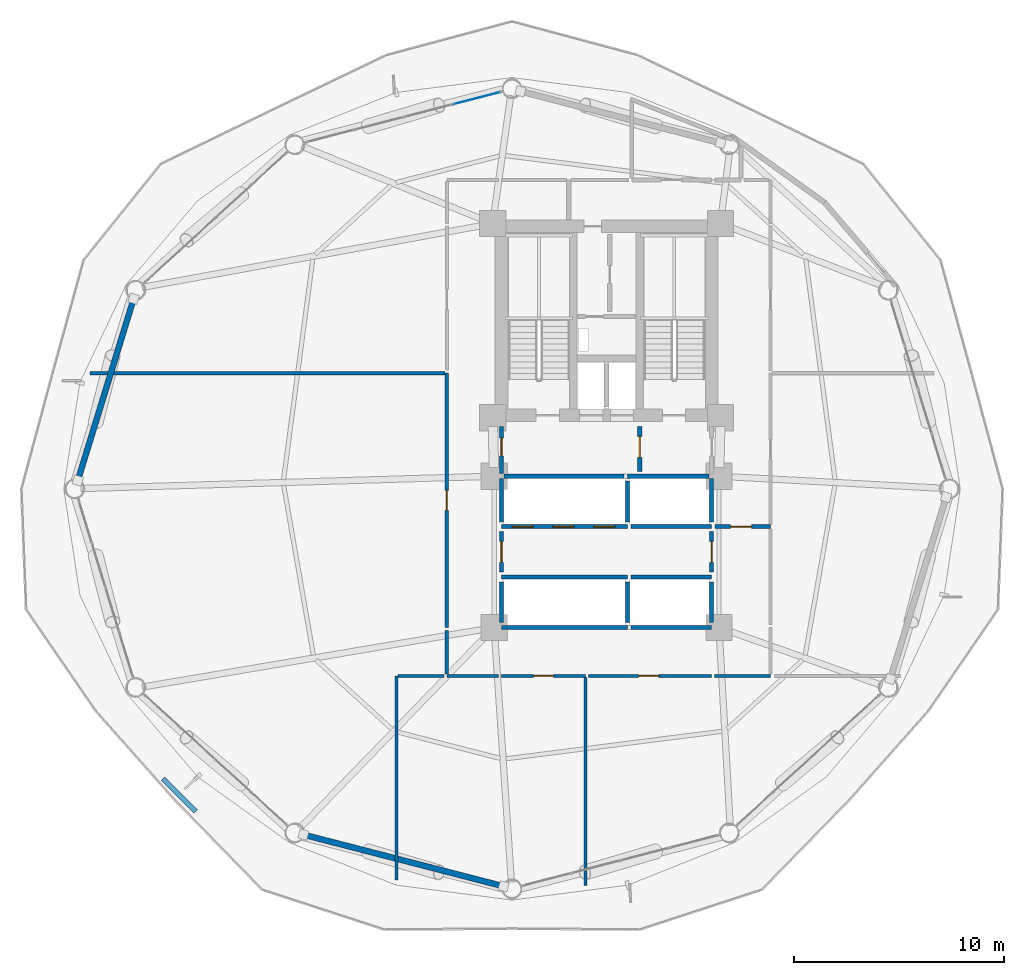
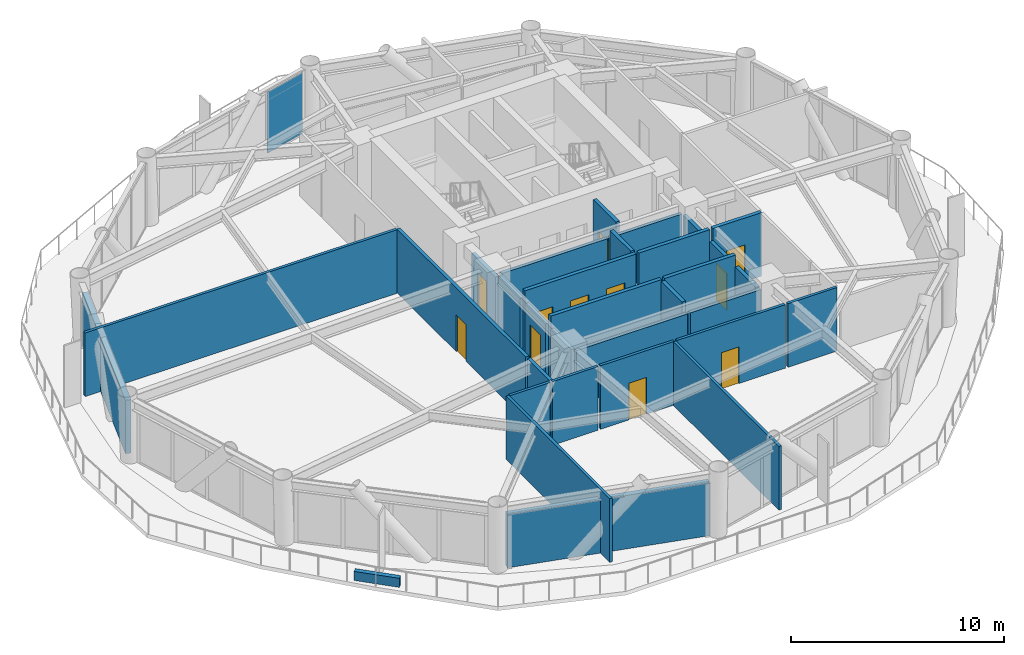
# One storey, part 19 of 24: 32 walls, 11 doors, 1 plate, 11 openings, 1 element without a shape of its own.
"""IFC4 building model written with IfcOpenShell, lengths in metres."""

from ifc_helpers import new_model, si_unit, direction, frame, frame_2d, origin, origin_2d, place, context, subcontext, project, spatial, rectangle, extrude, source, transform, mapped, material, layer, layer_set, type_object, type_shapes, element, fill, aggregate, save


model = new_model("IFC4")

# Units and contexts
model_context = context("Model", 3, precision=1e-05, world=origin(), true_north=direction((0.0, 1.0)))
body_context = subcontext(model_context, "Body", "Model", "MODEL_VIEW")
ifc_project = project(units=[si_unit("LENGTHUNIT", "METRE"), si_unit("AREAUNIT", "SQUARE_METRE"), si_unit("VOLUMEUNIT", "CUBIC_METRE"), si_unit("PLANEANGLEUNIT", "RADIAN"), si_unit("MASSUNIT", "GRAM", prefix="KILO")], contexts=[model_context])

# Site, building, storey
site_placement = place(None, origin())
site = spatial("IfcSite", under=ifc_project, at=site_placement, CompositionType="ELEMENT")
building_placement = place(site_placement, origin())
building = spatial("IfcBuilding", under=site, at=building_placement, Name="Varnakorn Sky Granary", CompositionType="ELEMENT")
storey_placement = place(building_placement, frame((0.0, 0.0, 43.199951171875)))
storey = spatial("IfcBuildingStorey", under=building, at=storey_placement, Name="L10", CompositionType="ELEMENT", Elevation=43.199951171875)

# Curtain wall, plate
ifc_material_1 = material(Name="Anodised Bronze Aluminium Alloy 6063-T6", Category="aluminium")
ifc_layer_1 = layer(ifc_material_1, 0.18994140625, Name="Anodised Bronze Aluminium Alloy 6063-T6")
ifc_layer_set_1 = layer_set([ifc_layer_1], Name="Anodised Bronze Aluminium Alloy 6063-T6")
curtain_wall_type = type_object("IfcCurtainWallType", Name="CW-FRM-1", PredefinedType="USERDEFINED", material=ifc_layer_set_1)
curtain_wall_placement = place(storey_placement, origin())
curtain_wall = element("IfcCurtainWall", 1, at=curtain_wall_placement, inside=storey, type_object=curtain_wall_type, Name="Unitised Curtain Wall CW3 CW-L10-B04", ObjectType="CURTAIN WALL", PredefinedType="USERDEFINED")
ifc_material_2 = material(Name="Low-E Tinted Laminated Glass", Category="glass")
ifc_layer_2 = layer(ifc_material_2, 0.028076171875, Name="Low-E Tinted Laminated Glass")
ifc_layer_set_2 = layer_set([ifc_layer_2], Name="Low-E Tinted Laminated Glass")
plate_type = type_object("IfcPlateType", Name="CW-FRM-1-PNL", PredefinedType="CURTAIN_PANEL")
shared_shape = source(origin(), body_context, "Body", "SweptSolid", [
    extrude(rectangle(XDim=2.302001953125, YDim=0.028076171875, at=origin_2d()), origin(), (0.0, 0.0, 1.0), 3.5),
])
type_shapes(plate_type, [shared_shape])
plate_placement = place(storey_placement, frame((-3.182861328125, 18.584716796875, 0.070068359375), z_axis=(0.0, 0.0, 1.0), x_axis=(0.968256081188, 0.249960319337, 0.0)))
plate = element("IfcPlate", 2, at=plate_placement, type_object=plate_type, material=ifc_layer_set_2, Name="CW3 vision glazing unit 4.1", PredefinedType="CURTAIN_PANEL", context=body_context, shape_type="MappedRepresentation", body=[
    mapped(shared_shape, transform((0.0, 0.0, 0.0), x_axis=(1.0, 0.0, 0.0), y_axis=(0.0, 1.0, 0.0), z_axis=(0.0, 0.0, 1.0), scale=1.0)),
])
aggregate(curtain_wall, [plate])

# Walls
ifc_material_3 = material(Name="Precast concrete C40/50", Category="concrete")
ifc_layer_3 = layer(ifc_material_3, 0.280029296875, Name="Precast concrete C40/50")
ifc_layer_set_3 = layer_set([ifc_layer_3], Name="Precast concrete C40/50")
wall_type_1 = type_object("IfcWallType", Name="WT-EW-CRN-280", PredefinedType="SOLIDWALL", material=ifc_layer_set_3)
wall_1_placement = place(storey_placement, frame((-22.160888671875, 0.393798828125, 0.0), z_axis=(0.0, 0.0, 1.0), x_axis=(0.293714423694, 0.955893214388, 0.0)))
element("IfcWall", 3, at=wall_1_placement, inside=storey, type_object=wall_type_1, Name="Agritech Insulated Precast Facade Wall L10-P06", PredefinedType="SOLIDWALL", context=body_context, shape_type="SweptSolid", body=[
    extrude(rectangle(XDim=9.0537109375, YDim=0.280029296875, at=frame_2d((4.52685546875, 0.0))), origin(), (0.0, 0.0, 1.0), 3.06005859375),
])
wall_2_placement = place(storey_placement, frame((-1.89892578125, -18.916015625, 0.0), z_axis=(0.0, 0.0, 1.0), x_axis=(-0.96825872694, 0.249950070424, 0.0)))
element("IfcWall", 4, at=wall_2_placement, inside=storey, type_object=wall_type_1, Name="Agritech Insulated Precast Facade Wall L10-P09", PredefinedType="SOLIDWALL", context=body_context, shape_type="SweptSolid", body=[
    extrude(rectangle(XDim=9.837890625, YDim=0.280029296875, at=frame_2d((4.9189453125, 0.0))), origin(), (0.0, 0.0, 1.0), 3.06005859375),
])

# Wall, opening, door
ifc_material_4 = material(Name="Autoclaved Aerated Concrete Blockwork", Category="masonry")
ifc_layer_4 = layer(ifc_material_4, 0.199951171875, Name="Autoclaved Aerated Concrete Blockwork")
ifc_layer_set_4 = layer_set([ifc_layer_4], Name="Autoclaved Aerated Concrete Blockwork")
wall_type_2 = type_object("IfcWallType", Name="WT-FIRE-200", PredefinedType="MOVABLE", material=ifc_layer_set_4)
wall_3_placement = place(storey_placement, frame((4.580078125, 0.830078125, 0.0), z_axis=(0.0, 0.0, 1.0), x_axis=(0.0, 1.0, 0.0)))
wall_3 = element("IfcWall", 5, at=wall_3_placement, inside=storey, type_object=wall_type_2, Name="Interior Partition Wall L10-017", PredefinedType="MOVABLE", context=body_context, shape_type="SweptSolid", body=[
    extrude(rectangle(XDim=2.139892578125, YDim=0.199951171875, at=frame_2d((1.06982421875, 0.0))), origin(), (0.0, 0.0, 1.0), 3.64013671875),
])
opening_1_placement = place(wall_3_placement, frame((0.659912109375, 0.0, 0.0)))
opening_1 = element("IfcOpeningElement", 6, at=opening_1_placement, cuts=wall_3, Name="Opening FD-60", PredefinedType="OPENING", context=body_context, shape_type="SweptSolid", body=[
    extrude(rectangle(XDim=1.0, YDim=2.10009765625, at=frame_2d((0.5, 1.050048828125))), frame((0.0, 0.10986328125, 0.0), z_axis=(0.0, -1.0, 0.0), x_axis=(1.0, 0.0, 0.0)), (0.0, 0.0, 1.0), 0.219970703125),
])
ifc_material_5 = material(Name="Acoustic Timber Fire Leaf", Category="wood")
door_type_1 = type_object("IfcDoorType", Name="DR-FD60-1000", OperationType="NOTDEFINED", PredefinedType="DOOR", material=ifc_material_5)
door_1_placement = place(opening_1_placement, origin())
door_1 = element("IfcDoor", 7, at=door_1_placement, inside=storey, type_object=door_type_1, Name="Interior Door L10-017-1", OperationType="SINGLE_SWING_LEFT", OverallHeight=2.10009765625, OverallWidth=1.0, PredefinedType="DOOR", context=body_context, shape_type="SweptSolid", body=[
    extrude(rectangle(XDim=1.0, YDim=2.10009765625, at=frame_2d((0.5, 1.050048828125))), frame((0.0, 0.02490234375, 0.0), z_axis=(0.0, -1.0, 0.0), x_axis=(1.0, 0.0, 0.0)), (0.0, 0.0, 1.0), 0.050048828125),
])
fill(opening_1, door_1)

wall_4_placement = place(storey_placement, frame((-2.0, 0.719970703125, 0.0), z_axis=(0.0, 0.0, 1.0), x_axis=(0.0, 1.0, 0.0)))
wall_4 = element("IfcWall", 8, at=wall_4_placement, inside=storey, type_object=wall_type_2, Name="Interior Partition Wall L10-018", PredefinedType="MOVABLE", context=body_context, shape_type="SweptSolid", body=[
    extrude(rectangle(XDim=2.25, YDim=0.199951171875, at=frame_2d((1.125, 0.0))), origin(), (0.0, 0.0, 1.0), 2.8720703125),
])
opening_2_placement = place(wall_4_placement, frame((0.844970703125, 0.0, 0.0)))
opening_2 = element("IfcOpeningElement", 9, at=opening_2_placement, cuts=wall_4, Name="Opening FD-60N", PredefinedType="OPENING", context=body_context, shape_type="SweptSolid", body=[
    extrude(rectangle(XDim=0.85009765625, YDim=2.10009765625, at=frame_2d((0.425048828125, 1.050048828125))), frame((0.0, 0.10986328125, 0.0), z_axis=(0.0, -1.0, 0.0), x_axis=(1.0, 0.0, 0.0)), (0.0, 0.0, 1.0), 0.219970703125),
])
door_type_2 = type_object("IfcDoorType", Name="DR-FD60-850", OperationType="NOTDEFINED", PredefinedType="DOOR", material=ifc_material_5)
door_2_placement = place(opening_2_placement, origin())
door_2 = element("IfcDoor", 10, at=door_2_placement, inside=storey, type_object=door_type_2, Name="Interior Door L10-018-1", OperationType="SINGLE_SWING_RIGHT", OverallHeight=2.10009765625, OverallWidth=0.85009765625, PredefinedType="DOOR", context=body_context, shape_type="SweptSolid", body=[
    extrude(rectangle(XDim=0.85009765625, YDim=2.10009765625, at=frame_2d((0.425048828125, 1.050048828125))), frame((0.0, 0.02490234375, 0.0), z_axis=(0.0, -1.0, 0.0), x_axis=(1.0, 0.0, 0.0)), (0.0, 0.0, 1.0), 0.050048828125),
])
fill(opening_2, door_2)

wall_5_placement = place(storey_placement, frame((-2.0, -3.969970703125, 0.0), z_axis=(0.0, 0.0, 1.0), x_axis=(0.0, 1.0, 0.0)))
wall_5 = element("IfcWall", 11, at=wall_5_placement, inside=storey, type_object=wall_type_2, Name="Interior Partition Wall L10-020", PredefinedType="MOVABLE", context=body_context, shape_type="SweptSolid", body=[
    extrude(rectangle(XDim=1.93994140625, YDim=0.199951171875, at=frame_2d((0.969970703125, 0.0))), origin(), (0.0, 0.0, 1.0), 3.02197265625),
])
opening_3_placement = place(wall_5_placement, frame((0.469970703125, 0.0, 0.0)))
opening_3 = element("IfcOpeningElement", 12, at=opening_3_placement, cuts=wall_5, Name="Opening FD-60", PredefinedType="OPENING", context=body_context, shape_type="SweptSolid", body=[
    extrude(rectangle(XDim=1.0, YDim=2.10009765625, at=frame_2d((0.5, 1.050048828125))), frame((0.0, 0.10986328125, 0.0), z_axis=(0.0, -1.0, 0.0), x_axis=(1.0, 0.0, 0.0)), (0.0, 0.0, 1.0), 0.219970703125),
])
door_3_placement = place(opening_3_placement, origin())
door_3 = element("IfcDoor", 13, at=door_3_placement, inside=storey, type_object=door_type_1, Name="Interior Door L10-020-1", OperationType="SINGLE_SWING_RIGHT", OverallHeight=2.10009765625, OverallWidth=1.0, PredefinedType="DOOR", context=body_context, shape_type="SweptSolid", body=[
    extrude(rectangle(XDim=1.0, YDim=2.10009765625, at=frame_2d((0.5, 1.050048828125))), frame((0.0, 0.02490234375, 0.0), z_axis=(0.0, -1.0, 0.0), x_axis=(1.0, 0.0, 0.0)), (0.0, 0.0, 1.0), 0.050048828125),
])
fill(opening_3, door_3)

wall_6_placement = place(storey_placement, frame((8.0, -3.969970703125, 0.0), z_axis=(0.0, 0.0, 1.0), x_axis=(0.0, 1.0, 0.0)))
wall_6 = element("IfcWall", 14, at=wall_6_placement, inside=storey, type_object=wall_type_2, Name="Interior Partition Wall L10-021", PredefinedType="MOVABLE", context=body_context, shape_type="SweptSolid", body=[
    extrude(rectangle(XDim=1.93994140625, YDim=0.199951171875, at=frame_2d((0.969970703125, 0.0))), origin(), (0.0, 0.0, 1.0), 3.072021484375),
])
opening_4_placement = place(wall_6_placement, frame((0.469970703125, 0.0, 0.0)))
opening_4 = element("IfcOpeningElement", 15, at=opening_4_placement, cuts=wall_6, Name="Opening FD-60", PredefinedType="OPENING", context=body_context, shape_type="SweptSolid", body=[
    extrude(rectangle(XDim=1.0, YDim=2.10009765625, at=frame_2d((0.5, 1.050048828125))), frame((0.0, 0.10986328125, 0.0), z_axis=(0.0, -1.0, 0.0), x_axis=(1.0, 0.0, 0.0)), (0.0, 0.0, 1.0), 0.219970703125),
])
door_4_placement = place(opening_4_placement, origin())
door_4 = element("IfcDoor", 16, at=door_4_placement, inside=storey, type_object=door_type_1, Name="Interior Door L10-021-1", OperationType="SINGLE_SWING_LEFT", OverallHeight=2.10009765625, OverallWidth=1.0, PredefinedType="DOOR", context=body_context, shape_type="SweptSolid", body=[
    extrude(rectangle(XDim=1.0, YDim=2.10009765625, at=frame_2d((0.5, 1.050048828125))), frame((0.0, 0.02490234375, 0.0), z_axis=(0.0, -1.0, 0.0), x_axis=(1.0, 0.0, 0.0)), (0.0, 0.0, 1.0), 0.050048828125),
])
fill(opening_4, door_4)

wall_7_placement = place(storey_placement, frame((8.159912109375, -1.800048828125, 0.0), z_axis=(0.0, 0.0, 1.0), x_axis=(1.0, 0.0, 0.0)))
wall_7 = element("IfcWall", 17, at=wall_7_placement, inside=storey, type_object=wall_type_2, Name="Interior Partition Wall L10-022", PredefinedType="MOVABLE", context=body_context, shape_type="SweptSolid", body=[
    extrude(rectangle(XDim=2.64013671875, YDim=0.199951171875, at=frame_2d((1.320068359375, 0.0))), origin(), (0.0, 0.0, 1.0), 3.64013671875),
])
opening_5_placement = place(wall_7_placement, frame((0.739990234375, 0.0, 0.0)))
opening_5 = element("IfcOpeningElement", 18, at=opening_5_placement, cuts=wall_7, Name="Opening FD-60", PredefinedType="OPENING", context=body_context, shape_type="SweptSolid", body=[
    extrude(rectangle(XDim=1.0, YDim=2.10009765625, at=frame_2d((0.5, 1.050048828125))), frame((0.0, 0.10986328125, 0.0), z_axis=(0.0, -1.0, 0.0), x_axis=(1.0, 0.0, 0.0)), (0.0, 0.0, 1.0), 0.219970703125),
])
door_5_placement = place(opening_5_placement, origin())
door_5 = element("IfcDoor", 19, at=door_5_placement, inside=storey, type_object=door_type_1, Name="Interior Door L10-022-1", OperationType="SINGLE_SWING_RIGHT", OverallHeight=2.10009765625, OverallWidth=1.0, PredefinedType="DOOR", context=body_context, shape_type="SweptSolid", body=[
    extrude(rectangle(XDim=1.0, YDim=2.10009765625, at=frame_2d((0.5, 1.050048828125))), frame((0.0, 0.02490234375, 0.0), z_axis=(0.0, -1.0, 0.0), x_axis=(1.0, 0.0, 0.0)), (0.0, 0.0, 1.0), 0.050048828125),
])
fill(opening_5, door_5)

# Wall
wall_8_placement = place(storey_placement, frame((-1.8798828125, 0.60009765625, 0.0), z_axis=(0.0, 0.0, 1.0), x_axis=(1.0, 0.0, 0.0)))
element("IfcWall", 20, at=wall_8_placement, inside=storey, type_object=wall_type_2, Name="Interior Partition Wall L10-030", PredefinedType="MOVABLE", context=body_context, shape_type="SweptSolid", body=[
    extrude(rectangle(XDim=5.719970703125, YDim=0.199951171875, at=frame_2d((2.85986328125, 0.0))), origin(), (0.0, 0.0, 1.0), 3.1220703125),
])

# Wall, opening, door
ifc_material_6 = material(Name="Gypsum Plasterboard on Steel Stud", Category="steel")
ifc_layer_5 = layer(ifc_material_6, 0.14990234375, Name="Gypsum Plasterboard on Steel Stud")
ifc_layer_set_5 = layer_set([ifc_layer_5], Name="Gypsum Plasterboard on Steel Stud")
wall_type_3 = type_object("IfcWallType", Name="WT-PART-150", PredefinedType="PARTITIONING", material=ifc_layer_set_5)
wall_9_placement = place(storey_placement, frame((-2.0, -8.89990234375, 0.0), z_axis=(0.0, 0.0, 1.0), x_axis=(1.0, 0.0, 0.0)))
wall_9 = element("IfcWall", 21, at=wall_9_placement, inside=storey, type_object=wall_type_3, Name="Interior Partition Wall L10-024", PredefinedType="PARTITIONING", context=body_context, shape_type="SweptSolid", body=[
    extrude(rectangle(XDim=4.0, YDim=0.14990234375, at=frame_2d((2.0, 0.0))), origin(), (0.0, 0.0, 1.0), 3.64013671875),
])
opening_6_placement = place(wall_9_placement, frame((1.52490234375, 0.0, 0.0)))
opening_6 = element("IfcOpeningElement", 22, at=opening_6_placement, cuts=wall_9, Name="Opening ID-95", PredefinedType="OPENING", context=body_context, shape_type="SweptSolid", body=[
    extrude(rectangle(XDim=0.949951171875, YDim=2.10009765625, at=frame_2d((0.47509765625, 1.050048828125))), frame((0.0, 0.0849609375, 0.0), z_axis=(0.0, -1.0, 0.0), x_axis=(1.0, 0.0, 0.0)), (0.0, 0.0, 1.0), 0.169921875),
])
ifc_material_7 = material(Name="Solid-Core Teak Veneer Leaf", Category="timber")
door_type_3 = type_object("IfcDoorType", Name="DR-INT-950", OperationType="NOTDEFINED", PredefinedType="DOOR", material=ifc_material_7)
door_6_placement = place(opening_6_placement, origin())
door_6 = element("IfcDoor", 23, at=door_6_placement, inside=storey, type_object=door_type_3, Name="Interior Door L10-024-1", OperationType="SINGLE_SWING_RIGHT", OverallHeight=2.10009765625, OverallWidth=0.949951171875, PredefinedType="DOOR", context=body_context, shape_type="SweptSolid", body=[
    extrude(rectangle(XDim=0.949951171875, YDim=2.10009765625, at=frame_2d((0.47509765625, 1.050048828125))), frame((0.0, 0.02490234375, 0.0), z_axis=(0.0, -1.0, 0.0), x_axis=(1.0, 0.0, 0.0)), (0.0, 0.0, 1.0), 0.050048828125),
])
fill(opening_6, door_6)

wall_10_placement = place(storey_placement, frame((2.135009765625, -8.89990234375, 0.0), z_axis=(0.0, 0.0, 1.0), x_axis=(1.0, 0.0, 0.0)))
wall_10 = element("IfcWall", 24, at=wall_10_placement, inside=storey, type_object=wall_type_3, Name="Interior Partition Wall L10-025", PredefinedType="PARTITIONING", context=body_context, shape_type="SweptSolid", body=[
    extrude(rectangle(XDim=5.864990234375, YDim=0.14990234375, at=frame_2d((2.9326171875, 0.0))), origin(), (0.0, 0.0, 1.0), 3.64013671875),
])
opening_7_placement = place(wall_10_placement, frame((2.389892578125, 0.0, 0.0)))
opening_7 = element("IfcOpeningElement", 25, at=opening_7_placement, cuts=wall_10, Name="Opening ID-95", PredefinedType="OPENING", context=body_context, shape_type="SweptSolid", body=[
    extrude(rectangle(XDim=0.949951171875, YDim=2.10009765625, at=frame_2d((0.47509765625, 1.050048828125))), frame((0.0, 0.0849609375, 0.0), z_axis=(0.0, -1.0, 0.0), x_axis=(1.0, 0.0, 0.0)), (0.0, 0.0, 1.0), 0.169921875),
])
door_7_placement = place(opening_7_placement, origin())
door_7 = element("IfcDoor", 26, at=door_7_placement, inside=storey, type_object=door_type_3, Name="Interior Door L10-025-1", OperationType="SINGLE_SWING_LEFT", OverallHeight=2.10009765625, OverallWidth=0.949951171875, PredefinedType="DOOR", context=body_context, shape_type="SweptSolid", body=[
    extrude(rectangle(XDim=0.949951171875, YDim=2.10009765625, at=frame_2d((0.47509765625, 1.050048828125))), frame((0.0, 0.02490234375, 0.0), z_axis=(0.0, -1.0, 0.0), x_axis=(1.0, 0.0, 0.0)), (0.0, 0.0, 1.0), 0.050048828125),
])
fill(opening_7, door_7)

# Walls
wall_11_placement = place(storey_placement, frame((-4.60009765625, -8.89990234375, 0.0), z_axis=(0.0, 0.0, 1.0), x_axis=(1.0, 0.0, 0.0)))
element("IfcWall", 27, at=wall_11_placement, inside=storey, type_object=wall_type_3, Name="Interior Partition Wall L10-033", PredefinedType="PARTITIONING", context=body_context, shape_type="SweptSolid", body=[
    extrude(rectangle(XDim=2.465087890625, YDim=0.14990234375, at=frame_2d((1.232421875, 0.0))), origin(), (0.0, 0.0, 1.0), 3.64013671875),
])
wall_12_placement = place(storey_placement, frame((2.0, -8.985107421875, 0.0), z_axis=(0.0, 0.0, 1.0), x_axis=(0.0, -1.0, 0.0)))
element("IfcWall", 28, at=wall_12_placement, inside=storey, type_object=wall_type_3, Name="Interior Partition Wall L10-034", PredefinedType="PARTITIONING", context=body_context, shape_type="SweptSolid", body=[
    extrude(rectangle(XDim=9.892822265625, YDim=0.14990234375, at=frame_2d((4.9462890625, 0.0))), origin(), (0.0, 0.0, 1.0), 3.64013671875),
])
wall_13_placement = place(storey_placement, frame((-7.0, -18.60595703125, 0.0), z_axis=(0.0, 0.0, 1.0), x_axis=(0.0, 1.0, 0.0)))
element("IfcWall", 29, at=wall_13_placement, inside=storey, type_object=wall_type_3, Name="Interior Partition Wall L10-035", PredefinedType="PARTITIONING", context=body_context, shape_type="SweptSolid", body=[
    extrude(rectangle(XDim=9.7060546875, YDim=0.14990234375, at=frame_2d((4.85302734375, 0.0))), origin(), (0.0, 0.0, 1.0), 3.64013671875),
])
wall_14_placement = place(storey_placement, frame((-6.9150390625, -8.89990234375, 0.0), z_axis=(0.0, 0.0, 1.0), x_axis=(1.0, 0.0, 0.0)))
element("IfcWall", 30, at=wall_14_placement, inside=storey, type_object=wall_type_3, Name="Interior Partition Wall L10-036", PredefinedType="PARTITIONING", context=body_context, shape_type="SweptSolid", body=[
    extrude(rectangle(XDim=2.179931640625, YDim=0.14990234375, at=frame_2d((1.08984375, 0.0))), origin(), (0.0, 0.0, 1.0), 3.64013671875),
])
wall_15_placement = place(storey_placement, frame((8.135009765625, -8.89990234375, 0.0), z_axis=(0.0, 0.0, 1.0), x_axis=(1.0, 0.0, 0.0)))
element("IfcWall", 31, at=wall_15_placement, inside=storey, type_object=wall_type_3, Name="Interior Partition Wall L10-037", PredefinedType="PARTITIONING", context=body_context, shape_type="SweptSolid", body=[
    extrude(rectangle(XDim=2.6650390625, YDim=0.14990234375, at=frame_2d((1.33251953125, 0.0))), origin(), (0.0, 0.0, 1.0), 3.64013671875),
])
wall_16_placement = place(storey_placement, frame((-21.589111328125, 5.5, 0.0), z_axis=(0.0, 0.0, 1.0), x_axis=(1.0, 0.0, 0.0)))
element("IfcWall", 32, at=wall_16_placement, inside=storey, type_object=wall_type_3, Name="Interior Partition Wall L10-040", PredefinedType="PARTITIONING", context=body_context, shape_type="SweptSolid", body=[
    extrude(rectangle(XDim=16.88916015625, YDim=0.14990234375, at=frame_2d((8.444580078125, 0.0))), origin(), (0.0, 0.0, 1.0), 3.64013671875),
])

# Wall, opening, door
ifc_material_8 = material(Name="Moisture-Resistant Gypsum on Stud", Category="gypsum")
ifc_layer_6 = layer(ifc_material_8, 0.179931640625, Name="Moisture-Resistant Gypsum on Stud")
ifc_layer_set_6 = layer_set([ifc_layer_6], Name="Moisture-Resistant Gypsum on Stud")
wall_type_4 = type_object("IfcWallType", Name="WT-PLUMB-180", PredefinedType="PLUMBINGWALL", material=ifc_layer_set_6)
wall_17_placement = place(storey_placement, frame((-4.60009765625, 5.5, 0.0), z_axis=(0.0, 0.0, 1.0), x_axis=(0.0, -1.0, 0.0)))
wall_17 = element("IfcWall", 33, at=wall_17_placement, inside=storey, type_object=wall_type_4, Name="Interior Partition Wall L10-026", PredefinedType="PLUMBINGWALL", context=body_context, shape_type="SweptSolid", body=[
    extrude(rectangle(XDim=12.10009765625, YDim=0.179931640625, at=frame_2d((6.050048828125, 0.0))), origin(), (0.0, 0.0, 1.0), 3.64013671875),
])
opening_8_placement = place(wall_17_placement, frame((5.574951171875, 0.0, 0.0)))
opening_8 = element("IfcOpeningElement", 34, at=opening_8_placement, cuts=wall_17, Name="Opening ID-95", PredefinedType="OPENING", context=body_context, shape_type="SweptSolid", body=[
    extrude(rectangle(XDim=0.949951171875, YDim=2.10009765625, at=frame_2d((0.47509765625, 1.050048828125))), frame((0.0, 0.10009765625, 0.0), z_axis=(0.0, -1.0, 0.0), x_axis=(1.0, 0.0, 0.0)), (0.0, 0.0, 1.0), 0.199951171875),
])
door_8_placement = place(opening_8_placement, origin())
door_8 = element("IfcDoor", 35, at=door_8_placement, inside=storey, type_object=door_type_3, Name="Interior Door L10-026-1", OperationType="SINGLE_SWING_RIGHT", OverallHeight=2.10009765625, OverallWidth=0.949951171875, PredefinedType="DOOR", context=body_context, shape_type="SweptSolid", body=[
    extrude(rectangle(XDim=0.949951171875, YDim=2.10009765625, at=frame_2d((0.47509765625, 1.050048828125))), frame((0.0, 0.02490234375, 0.0), z_axis=(0.0, -1.0, 0.0), x_axis=(1.0, 0.0, 0.0)), (0.0, 0.0, 1.0), 0.050048828125),
])
fill(opening_8, door_8)

# Walls
wall_18_placement = place(storey_placement, frame((-4.60009765625, -6.75, 0.0), z_axis=(0.0, 0.0, 1.0), x_axis=(0.0, -1.0, 0.0)))
element("IfcWall", 36, at=wall_18_placement, inside=storey, type_object=wall_type_4, Name="Interior Partition Wall L10-039", PredefinedType="PLUMBINGWALL", context=body_context, shape_type="SweptSolid", body=[
    extrude(rectangle(XDim=2.06494140625, YDim=0.179931640625, at=frame_2d((1.032470703125, 0.0))), origin(), (0.0, 0.0, 1.0), 3.64013671875),
])
ifc_layer_7 = layer(ifc_material_4, 0.199951171875, Name="Autoclaved Aerated Concrete Blockwork")
ifc_layer_set_7 = layer_set([ifc_layer_7], Name="Autoclaved Aerated Concrete Blockwork")
wall_type_5 = type_object("IfcWallType", Name="WT-SHAFT-200", PredefinedType="SOLIDWALL", material=ifc_layer_set_7)
wall_19_placement = place(storey_placement, frame((4.0, 0.60009765625, 0.0), z_axis=(0.0, 0.0, 1.0), x_axis=(1.0, 0.0, 0.0)))
element("IfcWall", 37, at=wall_19_placement, inside=storey, type_object=wall_type_5, Name="Interior Partition Wall L10-002", PredefinedType="SOLIDWALL", context=body_context, shape_type="SweptSolid", body=[
    extrude(rectangle(XDim=3.8798828125, YDim=0.199951171875, at=frame_2d((1.93994140625, 0.0))), origin(), (0.0, 0.0, 1.0), 3.1220703125),
])

# Wall, openings, doors
wall_20_placement = place(storey_placement, frame((-2.0, -1.800048828125, 0.0), z_axis=(0.0, 0.0, 1.0), x_axis=(1.0, 0.0, 0.0)))
wall_20 = element("IfcWall", 38, at=wall_20_placement, inside=storey, type_object=wall_type_5, Name="Interior Partition Wall L10-003", PredefinedType="SOLIDWALL", context=body_context, shape_type="SweptSolid", body=[
    extrude(rectangle(XDim=6.0, YDim=0.199951171875, at=frame_2d((3.0, 0.0))), origin(), (0.0, 0.0, 1.0), 3.64013671875),
])
opening_9_placement = place(wall_20_placement, frame((0.5, 0.0, 0.0)))
opening_9 = element("IfcOpeningElement", 39, at=opening_9_placement, cuts=wall_20, Name="Opening LD-03", PredefinedType="OPENING", context=body_context, shape_type="SweptSolid", body=[
    extrude(rectangle(XDim=1.0, YDim=2.199951171875, at=frame_2d((0.5, 1.10009765625))), frame((0.0, 0.10986328125, 0.0), z_axis=(0.0, -1.0, 0.0), x_axis=(1.0, 0.0, 0.0)), (0.0, 0.0, 1.0), 0.219970703125),
])
opening_10_placement = place(wall_20_placement, frame((2.449951171875, 0.0, 0.0)))
opening_10 = element("IfcOpeningElement", 40, at=opening_10_placement, cuts=wall_20, Name="Opening LD-03", PredefinedType="OPENING", context=body_context, shape_type="SweptSolid", body=[
    extrude(rectangle(XDim=1.0, YDim=2.199951171875, at=frame_2d((0.5, 1.10009765625))), frame((0.0, 0.10986328125, 0.0), z_axis=(0.0, -1.0, 0.0), x_axis=(1.0, 0.0, 0.0)), (0.0, 0.0, 1.0), 0.219970703125),
])
opening_11_placement = place(wall_20_placement, frame((4.39990234375, 0.0, 0.0)))
opening_11 = element("IfcOpeningElement", 41, at=opening_11_placement, cuts=wall_20, Name="Opening LD-03", PredefinedType="OPENING", context=body_context, shape_type="SweptSolid", body=[
    extrude(rectangle(XDim=1.0, YDim=2.199951171875, at=frame_2d((0.5, 1.10009765625))), frame((0.0, 0.10986328125, 0.0), z_axis=(0.0, -1.0, 0.0), x_axis=(1.0, 0.0, 0.0)), (0.0, 0.0, 1.0), 0.219970703125),
])
ifc_material_9 = material(Name="Brushed Bronze Stainless Steel", Category="steel")
door_type_4 = type_object("IfcDoorType", Name="DR-LD-1000", OperationType="DOUBLE_DOOR_SLIDING", PredefinedType="DOOR", material=ifc_material_9)
door_9_placement = place(opening_9_placement, origin())
door_9 = element("IfcDoor", 42, at=door_9_placement, inside=storey, type_object=door_type_4, Name="Passenger Lift PL-L1 Sliding Landing Door L10", OperationType="DOUBLE_DOOR_SLIDING", OverallHeight=2.199951171875, OverallWidth=1.0, PredefinedType="DOOR", context=body_context, shape_type="SweptSolid", body=[
    extrude(rectangle(XDim=1.0, YDim=2.199951171875, at=frame_2d((0.5, 1.10009765625))), frame((0.0, 0.02490234375, 0.0), z_axis=(0.0, -1.0, 0.0), x_axis=(1.0, 0.0, 0.0)), (0.0, 0.0, 1.0), 0.050048828125),
])
fill(opening_9, door_9)
door_10_placement = place(opening_10_placement, origin())
door_10 = element("IfcDoor", 43, at=door_10_placement, inside=storey, type_object=door_type_4, Name="Passenger Lift PL-L2 Sliding Landing Door L10", OperationType="DOUBLE_DOOR_SLIDING", OverallHeight=2.199951171875, OverallWidth=1.0, PredefinedType="DOOR", context=body_context, shape_type="SweptSolid", body=[
    extrude(rectangle(XDim=1.0, YDim=2.199951171875, at=frame_2d((0.5, 1.10009765625))), frame((0.0, 0.02490234375, 0.0), z_axis=(0.0, -1.0, 0.0), x_axis=(1.0, 0.0, 0.0)), (0.0, 0.0, 1.0), 0.050048828125),
])
fill(opening_10, door_10)
door_11_placement = place(opening_11_placement, origin())
door_11 = element("IfcDoor", 44, at=door_11_placement, inside=storey, type_object=door_type_4, Name="Passenger Lift PL-L3 Sliding Landing Door L10", OperationType="DOUBLE_DOOR_SLIDING", OverallHeight=2.199951171875, OverallWidth=1.0, PredefinedType="DOOR", context=body_context, shape_type="SweptSolid", body=[
    extrude(rectangle(XDim=1.0, YDim=2.199951171875, at=frame_2d((0.5, 1.10009765625))), frame((0.0, 0.02490234375, 0.0), z_axis=(0.0, -1.0, 0.0), x_axis=(1.0, 0.0, 0.0)), (0.0, 0.0, 1.0), 0.050048828125),
])
fill(opening_11, door_11)

# Walls
wall_21_placement = place(storey_placement, frame((-2.0, -1.570068359375, 0.0), z_axis=(0.0, 0.0, 1.0), x_axis=(0.0, 1.0, 0.0)))
element("IfcWall", 45, at=wall_21_placement, inside=storey, type_object=wall_type_5, Name="Interior Partition Wall L10-004", PredefinedType="SOLIDWALL", context=body_context, shape_type="SweptSolid", body=[
    extrude(rectangle(XDim=2.050048828125, YDim=0.199951171875, at=frame_2d((1.02490234375, 0.0))), origin(), (0.0, 0.0, 1.0), 3.02197265625),
])
wall_22_placement = place(storey_placement, frame((4.159912109375, -1.800048828125, 0.0), z_axis=(0.0, 0.0, 1.0), x_axis=(1.0, 0.0, 0.0)))
element("IfcWall", 46, at=wall_22_placement, inside=storey, type_object=wall_type_5, Name="Interior Partition Wall L10-005", PredefinedType="SOLIDWALL", context=body_context, shape_type="SweptSolid", body=[
    extrude(rectangle(XDim=3.840087890625, YDim=0.199951171875, at=frame_2d((1.919921875, 0.0))), origin(), (0.0, 0.0, 1.0), 3.64013671875),
])
wall_23_placement = place(storey_placement, frame((4.0, -1.570068359375, 0.0), z_axis=(0.0, 0.0, 1.0), x_axis=(0.0, 1.0, 0.0)))
element("IfcWall", 47, at=wall_23_placement, inside=storey, type_object=wall_type_5, Name="Interior Partition Wall L10-006", PredefinedType="SOLIDWALL", context=body_context, shape_type="SweptSolid", body=[
    extrude(rectangle(XDim=1.940185546875, YDim=0.199951171875, at=frame_2d((0.97021484375, 0.0))), origin(), (0.0, 0.0, 1.0), 3.64013671875),
])
wall_24_placement = place(storey_placement, frame((8.0, -1.570068359375, 0.0), z_axis=(0.0, 0.0, 1.0), x_axis=(0.0, 1.0, 0.0)))
element("IfcWall", 48, at=wall_24_placement, inside=storey, type_object=wall_type_5, Name="Interior Partition Wall L10-007", PredefinedType="SOLIDWALL", context=body_context, shape_type="SweptSolid", body=[
    extrude(rectangle(XDim=2.050048828125, YDim=0.199951171875, at=frame_2d((1.02490234375, 0.0))), origin(), (0.0, 0.0, 1.0), 3.072021484375),
])
wall_25_placement = place(storey_placement, frame((-2.0, -4.199951171875, 0.0), z_axis=(0.0, 0.0, 1.0), x_axis=(1.0, 0.0, 0.0)))
element("IfcWall", 49, at=wall_25_placement, inside=storey, type_object=wall_type_5, Name="Interior Partition Wall L10-008", PredefinedType="SOLIDWALL", context=body_context, shape_type="SweptSolid", body=[
    extrude(rectangle(XDim=6.0, YDim=0.199951171875, at=frame_2d((3.0, 0.0))), origin(), (0.0, 0.0, 1.0), 3.64013671875),
])
wall_26_placement = place(storey_placement, frame((-2.0, -6.60009765625, 0.0), z_axis=(0.0, 0.0, 1.0), x_axis=(1.0, 0.0, 0.0)))
element("IfcWall", 50, at=wall_26_placement, inside=storey, type_object=wall_type_5, Name="Interior Partition Wall L10-009", PredefinedType="SOLIDWALL", context=body_context, shape_type="SweptSolid", body=[
    extrude(rectangle(XDim=6.0, YDim=0.199951171875, at=frame_2d((3.0, 0.0))), origin(), (0.0, 0.0, 1.0), 3.1220703125),
])
wall_27_placement = place(storey_placement, frame((-2.0, -6.3701171875, 0.0), z_axis=(0.0, 0.0, 1.0), x_axis=(0.0, 1.0, 0.0)))
element("IfcWall", 51, at=wall_27_placement, inside=storey, type_object=wall_type_5, Name="Interior Partition Wall L10-010", PredefinedType="SOLIDWALL", context=body_context, shape_type="SweptSolid", body=[
    extrude(rectangle(XDim=1.940185546875, YDim=0.199951171875, at=frame_2d((0.97021484375, 0.0))), origin(), (0.0, 0.0, 1.0), 3.02197265625),
])
wall_28_placement = place(storey_placement, frame((4.159912109375, -4.199951171875, 0.0), z_axis=(0.0, 0.0, 1.0), x_axis=(1.0, 0.0, 0.0)))
element("IfcWall", 52, at=wall_28_placement, inside=storey, type_object=wall_type_5, Name="Interior Partition Wall L10-011", PredefinedType="SOLIDWALL", context=body_context, shape_type="SweptSolid", body=[
    extrude(rectangle(XDim=3.840087890625, YDim=0.199951171875, at=frame_2d((1.919921875, 0.0))), origin(), (0.0, 0.0, 1.0), 3.64013671875),
])
wall_29_placement = place(storey_placement, frame((4.159912109375, -6.60009765625, 0.0), z_axis=(0.0, 0.0, 1.0), x_axis=(1.0, 0.0, 0.0)))
element("IfcWall", 53, at=wall_29_placement, inside=storey, type_object=wall_type_5, Name="Interior Partition Wall L10-012", PredefinedType="SOLIDWALL", context=body_context, shape_type="SweptSolid", body=[
    extrude(rectangle(XDim=3.840087890625, YDim=0.199951171875, at=frame_2d((1.919921875, 0.0))), origin(), (0.0, 0.0, 1.0), 3.1220703125),
])
wall_30_placement = place(storey_placement, frame((4.0, -6.3701171875, 0.0), z_axis=(0.0, 0.0, 1.0), x_axis=(0.0, 1.0, 0.0)))
element("IfcWall", 54, at=wall_30_placement, inside=storey, type_object=wall_type_5, Name="Interior Partition Wall L10-013", PredefinedType="SOLIDWALL", context=body_context, shape_type="SweptSolid", body=[
    extrude(rectangle(XDim=1.940185546875, YDim=0.199951171875, at=frame_2d((0.97021484375, 0.0))), origin(), (0.0, 0.0, 1.0), 3.64013671875),
])
wall_31_placement = place(storey_placement, frame((8.0, -6.3701171875, 0.0), z_axis=(0.0, 0.0, 1.0), x_axis=(0.0, 1.0, 0.0)))
element("IfcWall", 55, at=wall_31_placement, inside=storey, type_object=wall_type_5, Name="Interior Partition Wall L10-014", PredefinedType="SOLIDWALL", context=body_context, shape_type="SweptSolid", body=[
    extrude(rectangle(XDim=1.940185546875, YDim=0.199951171875, at=frame_2d((0.97021484375, 0.0))), origin(), (0.0, 0.0, 1.0), 3.072021484375),
])
ifc_layer_8 = layer(ifc_material_3, 0.239990234375, Name="Precast concrete C40/50")
ifc_layer_set_8 = layer_set([ifc_layer_8], Name="Precast concrete C40/50")
wall_type_6 = type_object("IfcWallType", Name="WT-WP-PLN-240", PredefinedType="PARAPET", material=ifc_layer_set_8)
wall_32_placement = place(storey_placement, frame((-18.104248046875, -13.802001953125, 0.0), z_axis=(0.0, 0.0, 1.0), x_axis=(0.707106781187, -0.707106781187, 0.0)))
element("IfcWall", 56, at=wall_32_placement, inside=storey, type_object=wall_type_6, Name="Sky-Farm Hydroponic Planter Bed PLANTER L10", PredefinedType="PARAPET", context=body_context, shape_type="SweptSolid", body=[
    extrude(rectangle(XDim=2.199951171875, YDim=0.239990234375, at=frame_2d((1.10009765625, 0.0))), origin(), (0.0, 0.0, 1.0), 0.52001953125),
])

save(model, "model.ifc")
